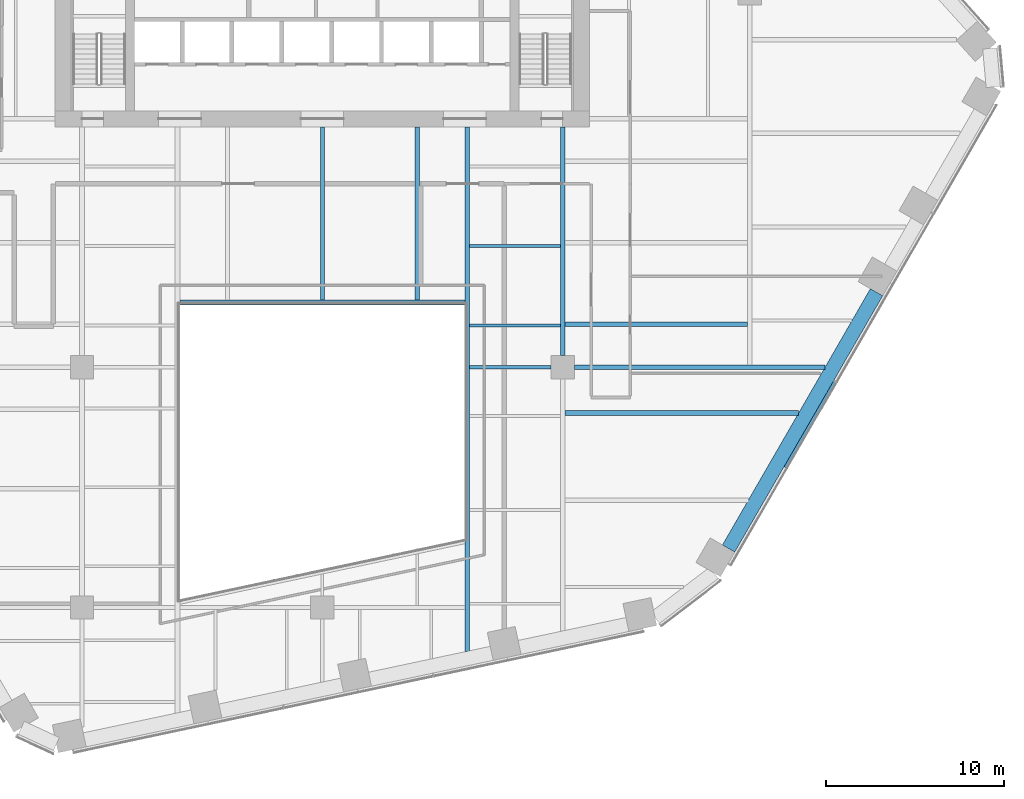
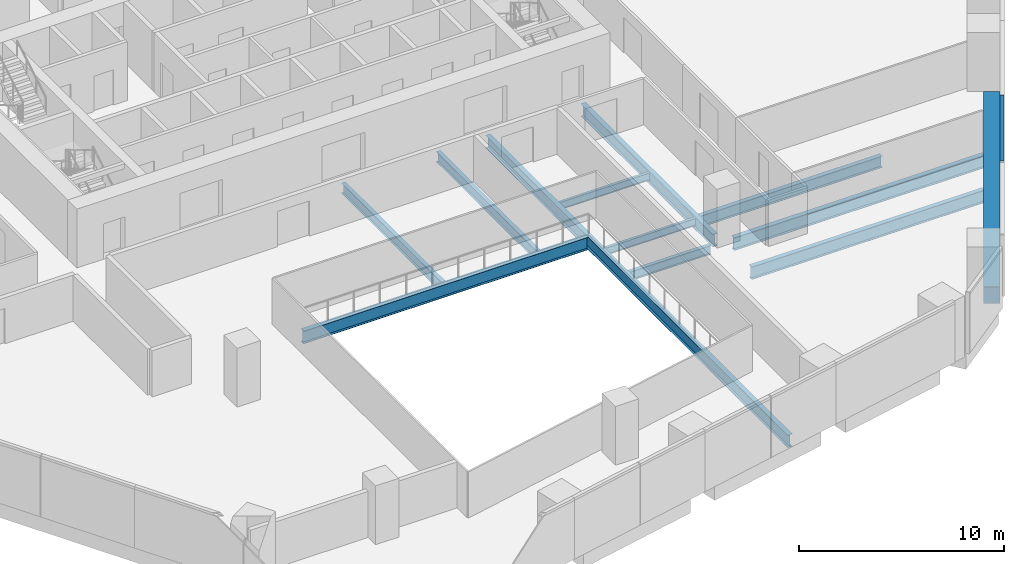
# One storey, part 6 of 21: 12 beams, 1 member, 1 element without a shape of its own.
"""IFC4 building model written with IfcOpenShell, lengths in metres."""

from ifc_helpers import new_model, si_unit, direction, frame, origin, origin_2d, place, context, subcontext, project, spatial, rectangle, i_section, extrude, material, layer, layer_set, material_profile, profile_set, type_object, element, aggregate, save


model = new_model("IFC4")

# Units and contexts
model_context = context("Model", 3, precision=1e-05, world=origin(), true_north=direction((0.0, 1.0)))
body_context = subcontext(model_context, "Body", "Model", "MODEL_VIEW")
ifc_project = project(units=[si_unit("LENGTHUNIT", "METRE"), si_unit("AREAUNIT", "SQUARE_METRE"), si_unit("VOLUMEUNIT", "CUBIC_METRE"), si_unit("PLANEANGLEUNIT", "RADIAN"), si_unit("MASSUNIT", "GRAM", prefix="KILO")], contexts=[model_context])

# Site, building, storey
site_placement = place(None, origin())
site = spatial("IfcSite", under=ifc_project, at=site_placement, CompositionType="ELEMENT")
building_placement = place(site_placement, origin())
building = spatial("IfcBuilding", under=site, at=building_placement, Name="Isthmus Gate Tower", CompositionType="ELEMENT")
storey_placement = place(building_placement, frame((0.0, 0.0, 102.550048828125)))
storey = spatial("IfcBuildingStorey", under=building, at=storey_placement, Name="L24", CompositionType="ELEMENT", Elevation=102.550048828125)

# Curtain wall, member
ifc_material_1 = material(Name="Aluminium, pale champagne anodised", Category="aluminium")
ifc_layer = layer(ifc_material_1, 0.199951171875)
ifc_layer_set = layer_set([ifc_layer], Name="CW-1 UNITISED CURTAIN WALL 200 DEEP")
curtain_wall_type = type_object("IfcCurtainWallType", Name="CW-1 UNITISED CURTAIN WALL 200 DEEP", PredefinedType="NOTDEFINED", material=ifc_layer_set)
curtain_wall_placement = place(storey_placement, origin())
curtain_wall = element("IfcCurtainWall", 1, at=curtain_wall_placement, inside=storey, type_object=curtain_wall_type, Name="CW-1 SE L24", PredefinedType="NOTDEFINED")
ifc_material_2 = material(Name="Aluminium, pale champagne anodised", Category="aluminium")
ifc_material_profile_1 = material_profile(ifc_material_2, rectangle(XDim=0.199951171875, YDim=0.14990234375, at=origin_2d()), Name="200x150")
ifc_profile_set_1 = profile_set([ifc_material_profile_1], Name="Aluminium, pale champagne anodised")
member_type = type_object("IfcMemberType", Name="CW-1 TRANSOM 200 X 150", PredefinedType="USERDEFINED", material=ifc_profile_set_1)
member_placement = place(storey_placement, frame((26.017822265625, -19.135986328125, 3.574951171875), z_axis=(0.499993363642, 0.866029235253, 0.0), x_axis=(-0.866029235253, 0.499993363642, 0.0)))
member = element("IfcMember", 2, at=member_placement, type_object=member_type, Name="CW-1 transom", ObjectType="TRANSOM", PredefinedType="USERDEFINED", context=body_context, shape_type="SweptSolid", body=[
    extrude(rectangle(XDim=0.199951171875, YDim=0.14990234375, at=origin_2d()), origin(), (0.0, 0.0, 1.0), 5.53857421875),
])
aggregate(curtain_wall, [member])

# Beams
ifc_material_3 = material(Name="Concrete f'c 70 MPa", Category="concrete")
ifc_material_profile_2 = material_profile(ifc_material_3, rectangle(XDim=0.800048828125, YDim=1.0, at=origin_2d()), Name="RC 800X1000")
ifc_profile_set_2 = profile_set([ifc_material_profile_2], Name="Concrete f'c 70 MPa")
beam_type_1 = type_object("IfcBeamType", Name="RC SPANDREL 800 X 1000", PredefinedType="SPANDREL", material=ifc_profile_set_2)
beam_1_placement = place(storey_placement, frame((31.123291015625, -9.292724609375, -0.5), z_axis=(-0.499999725976, -0.866025561992, 0.0), x_axis=(0.866025561992, -0.499999725976, 0.0)))
element("IfcBeam", 3, at=beam_1_placement, inside=storey, type_object=beam_type_1, Name="str-spandrel-L24-08", PredefinedType="SPANDREL", context=body_context, shape_type="SweptSolid", body=[
    extrude(rectangle(XDim=0.800048828125, YDim=1.0, at=origin_2d()), origin(), (0.0, 0.0, 1.0), 16.61572265625),
])
ifc_material_4 = material(Name="Structural steel ASTM A992 Gr 50", Category="steel")
ifc_material_profile_3 = material_profile(ifc_material_4, i_section(OverallWidth=0.15234375, OverallDepth=0.45068359375, WebThickness=0.0078125, FlangeThickness=0.010986328125, at=origin_2d()), Name="W18X35")
ifc_profile_set_3 = profile_set([ifc_material_profile_3], Name="Structural steel ASTM A992 Gr 50")
beam_type_2 = type_object("IfcBeamType", Name="STEEL FLOOR BEAM W18X35", PredefinedType="JOIST", material=ifc_profile_set_3)
for number, where, z_axis, x_axis, name in (
    (4, (8.263427734375, -11.16259765625, -0.37548828125), (1.0, 0.0, 0.0), (0.0, 1.0, 0.0), "str-beam-L24-24-00"),
    (5, (8.263427734375, -6.697509765625, -0.37548828125), (1.0, 0.0, 0.0), (0.0, 1.0, 0.0), "str-beam-L24-24-01"),
):
    element("IfcBeam", number, at=place(storey_placement, frame(where, z_axis=z_axis, x_axis=x_axis)), inside=storey, type_object=beam_type_2, Name=name, PredefinedType="JOIST", context=body_context, shape_type="SweptSolid", body=[
        extrude(i_section(OverallWidth=0.15234375, OverallDepth=0.45068359375, WebThickness=0.0078125, FlangeThickness=0.010986328125, at=origin_2d()), origin(), (0.0, 0.0, 1.0), 5.104736328125),
    ])
ifc_material_5 = material(Name="Structural steel ASTM A992 Gr 50", Category="steel")
ifc_material_profile_4 = material_profile(ifc_material_5, i_section(OverallWidth=0.228515625, OverallDepth=0.603271484375, WebThickness=0.010986328125, FlangeThickness=0.014404296875, at=origin_2d()), Name="W24X68")
ifc_profile_set_4 = profile_set([ifc_material_profile_4], Name="Structural steel ASTM A992 Gr 50")
beam_type_3 = type_object("IfcBeamType", Name="STEEL FLOOR BEAM W24X68", PredefinedType="JOIST", material=ifc_profile_set_4)
for number, where, z_axis, x_axis, name in (
    (6, (0.0, -9.7333984375, -0.45166015625), (0.0, 1.0, 0.0), (-1.0, 0.0, 0.0), "str-beam-L24-17-01"),
    (7, (5.333251953125, -9.7333984375, -0.45166015625), (0.0, 1.0, 0.0), (-1.0, 0.0, 0.0), "str-beam-L24-17-02"),
):
    element("IfcBeam", number, at=place(storey_placement, frame(where, z_axis=z_axis, x_axis=x_axis)), inside=storey, type_object=beam_type_3, Name=name, PredefinedType="JOIST", context=body_context, shape_type="SweptSolid", body=[
        extrude(i_section(OverallWidth=0.228515625, OverallDepth=0.603271484375, WebThickness=0.010986328125, FlangeThickness=0.014404296875, at=origin_2d()), origin(), (0.0, 0.0, 1.0), 9.7333984375),
    ])
ifc_material_6 = material(Name="Structural steel ASTM A992 Gr 50", Category="steel")
ifc_material_profile_5 = material_profile(ifc_material_6, i_section(OverallWidth=0.25390625, OverallDepth=0.679443359375, WebThickness=0.010986328125, FlangeThickness=0.015869140625, at=origin_2d()), Name="W27X84")
ifc_profile_set_5 = profile_set([ifc_material_profile_5], Name="Structural steel ASTM A992 Gr 50")
beam_type_4 = type_object("IfcBeamType", Name="STEEL FLOOR BEAM W27X84", PredefinedType="JOIST", material=ifc_profile_set_5)
beam_2_placement = place(storey_placement, frame((13.6318359375, -11.0830078125, -0.48974609375), z_axis=(1.0, 0.0, 0.0), x_axis=(0.0, 1.0, 0.0)))
element("IfcBeam", 8, at=beam_2_placement, inside=storey, type_object=beam_type_4, Name="str-beam-L24-27-00", PredefinedType="JOIST", context=body_context, shape_type="SweptSolid", body=[
    extrude(i_section(OverallWidth=0.25390625, OverallDepth=0.679443359375, WebThickness=0.010986328125, FlangeThickness=0.015869140625, at=origin_2d()), origin(), (0.0, 0.0, 1.0), 10.23486328125),
])
ifc_material_7 = material(Name="Structural steel ASTM A992 Gr 50", Category="steel")
ifc_material_profile_6 = material_profile(ifc_material_7, i_section(OverallWidth=0.263427734375, OverallDepth=0.749267578125, WebThickness=0.0126953125, FlangeThickness=0.015869140625, at=origin_2d()), Name="W30X90")
ifc_profile_set_6 = profile_set([ifc_material_profile_6], Name="Structural steel ASTM A992 Gr 50")
beam_type_5 = type_object("IfcBeamType", Name="STEEL FLOOR BEAM W30X90", PredefinedType="JOIST", material=ifc_profile_set_6)
beam_3_placement = place(storey_placement, frame((13.63330078125, -16.0751953125, -0.524658203125), z_axis=(1.0, 0.0, 0.0), x_axis=(0.0, 1.0, 0.0)))
element("IfcBeam", 9, at=beam_3_placement, inside=storey, type_object=beam_type_5, Name="str-beam-L24-28-02", PredefinedType="JOIST", context=body_context, shape_type="SweptSolid", body=[
    extrude(i_section(OverallWidth=0.263427734375, OverallDepth=0.749267578125, WebThickness=0.0126953125, FlangeThickness=0.015869140625, at=origin_2d()), origin(), (0.0, 0.0, 1.0), 13.1123046875),
])
ifc_material_8 = material(Name="Structural steel ASTM A992 Gr 50", Category="steel")
ifc_material_profile_7 = material_profile(ifc_material_8, i_section(OverallWidth=0.20947265625, OverallDepth=0.533447265625, WebThickness=0.009521484375, FlangeThickness=0.015869140625, at=origin_2d()), Name="W21X62")
ifc_profile_set_7 = profile_set([ifc_material_profile_7], Name="Structural steel ASTM A992 Gr 50")
beam_type_6 = type_object("IfcBeamType", Name="STEEL GIRDER W21X62", PredefinedType="BEAM", material=ifc_profile_set_7)
beam_4_placement = place(storey_placement, frame((8.263427734375, -13.5, -0.416748046875), z_axis=(1.0, 0.0, 0.0), x_axis=(0.0, 1.0, 0.0)))
element("IfcBeam", 10, at=beam_4_placement, inside=storey, type_object=beam_type_6, Name="str-girder-L24-07", PredefinedType="BEAM", context=body_context, shape_type="SweptSolid", body=[
    extrude(i_section(OverallWidth=0.20947265625, OverallDepth=0.533447265625, WebThickness=0.009521484375, FlangeThickness=0.015869140625, at=origin_2d()), origin(), (0.0, 0.0, 1.0), 4.586669921875),
])
ifc_material_9 = material(Name="Structural steel ASTM A992 Gr 50", Category="steel")
ifc_material_profile_8 = material_profile(ifc_material_9, i_section(OverallWidth=0.2666015625, OverallDepth=0.7587890625, WebThickness=0.014404296875, FlangeThickness=0.01904296875, at=origin_2d()), Name="W30X108")
ifc_profile_set_8 = profile_set([ifc_material_profile_8], Name="Structural steel ASTM A992 Gr 50")
beam_type_7 = type_object("IfcBeamType", Name="STEEL GIRDER W30X108", PredefinedType="BEAM", material=ifc_profile_set_8)
beam_5_placement = place(storey_placement, frame((14.14990234375, -13.5, -0.529541015625), z_axis=(1.0, 0.0, 0.0), x_axis=(0.0, 1.0, 0.0)))
element("IfcBeam", 11, at=beam_5_placement, inside=storey, type_object=beam_type_7, Name="str-girder-L24-08", PredefinedType="BEAM", context=body_context, shape_type="SweptSolid", body=[
    extrude(i_section(OverallWidth=0.2666015625, OverallDepth=0.7587890625, WebThickness=0.014404296875, FlangeThickness=0.01904296875, at=origin_2d()), origin(), (0.0, 0.0, 1.0), 14.08251953125),
])
ifc_material_10 = material(Name="Structural steel ASTM A992 Gr 50", Category="steel")
ifc_material_profile_9 = material_profile(ifc_material_10, i_section(OverallWidth=0.263427734375, OverallDepth=0.749267578125, WebThickness=0.0126953125, FlangeThickness=0.015869140625, at=origin_2d()), Name="W30X90")
ifc_profile_set_9 = profile_set([ifc_material_profile_9], Name="Structural steel ASTM A992 Gr 50")
beam_type_8 = type_object("IfcBeamType", Name="STEEL GIRDER W30X90", PredefinedType="BEAM", material=ifc_profile_set_9)
beam_6_placement = place(storey_placement, frame((13.5, -12.85009765625, -0.524658203125), z_axis=(0.0, 1.0, 0.0), x_axis=(-1.0, 0.0, 0.0)))
element("IfcBeam", 12, at=beam_6_placement, inside=storey, type_object=beam_type_8, Name="str-girder-L24-33", PredefinedType="BEAM", context=body_context, shape_type="SweptSolid", body=[
    extrude(i_section(OverallWidth=0.263427734375, OverallDepth=0.749267578125, WebThickness=0.0126953125, FlangeThickness=0.015869140625, at=origin_2d()), origin(), (0.0, 0.0, 1.0), 12.85009765625),
])
ifc_material_11 = material(Name="Structural steel ASTM A992 Gr 50", Category="steel")
ifc_material_profile_10 = material_profile(ifc_material_11, i_section(OverallWidth=0.2666015625, OverallDepth=0.7587890625, WebThickness=0.014404296875, FlangeThickness=0.01904296875, at=origin_2d()), Name="W30X108")
ifc_profile_set_10 = profile_set([ifc_material_profile_10], Name="Structural steel ASTM A992 Gr 50")
beam_type_9 = type_object("IfcBeamType", Name="STEEL TRIMMER W30X108", PredefinedType="BEAM", material=ifc_profile_set_10)
beam_7_placement = place(storey_placement, frame((8.0, -9.86669921875, -0.529541015625), z_axis=(-1.0, 0.0, 0.0), x_axis=(0.0, -1.0, 0.0)))
element("IfcBeam", 13, at=beam_7_placement, inside=storey, type_object=beam_type_9, Name="str-trimmer-L24-04", PredefinedType="BEAM", context=body_context, shape_type="SweptSolid", body=[
    extrude(i_section(OverallWidth=0.2666015625, OverallDepth=0.7587890625, WebThickness=0.014404296875, FlangeThickness=0.01904296875, at=origin_2d()), origin(), (0.0, 0.0, 1.0), 16.0),
])
ifc_material_12 = material(Name="Structural steel ASTM A992 Gr 50", Category="steel")
ifc_material_profile_11 = material_profile(ifc_material_12, i_section(OverallWidth=0.263427734375, OverallDepth=0.749267578125, WebThickness=0.0126953125, FlangeThickness=0.015869140625, at=origin_2d()), Name="W30X90")
ifc_profile_set_11 = profile_set([ifc_material_profile_11], Name="Structural steel ASTM A992 Gr 50")
beam_type_10 = type_object("IfcBeamType", Name="STEEL TRIMMER W30X90", PredefinedType="BEAM", material=ifc_profile_set_11)
beam_8_placement = place(storey_placement, frame((8.1318359375, -29.45361328125, -0.524658203125), z_axis=(0.0, 1.0, 0.0), x_axis=(-1.0, 0.0, 0.0)))
element("IfcBeam", 14, at=beam_8_placement, inside=storey, type_object=beam_type_10, Name="str-trimmer-L24-01", PredefinedType="BEAM", context=body_context, shape_type="SweptSolid", body=[
    extrude(i_section(OverallWidth=0.263427734375, OverallDepth=0.749267578125, WebThickness=0.0126953125, FlangeThickness=0.015869140625, at=origin_2d()), origin(), (0.0, 0.0, 1.0), 29.45361328125),
])

save(model, "model.ifc")
